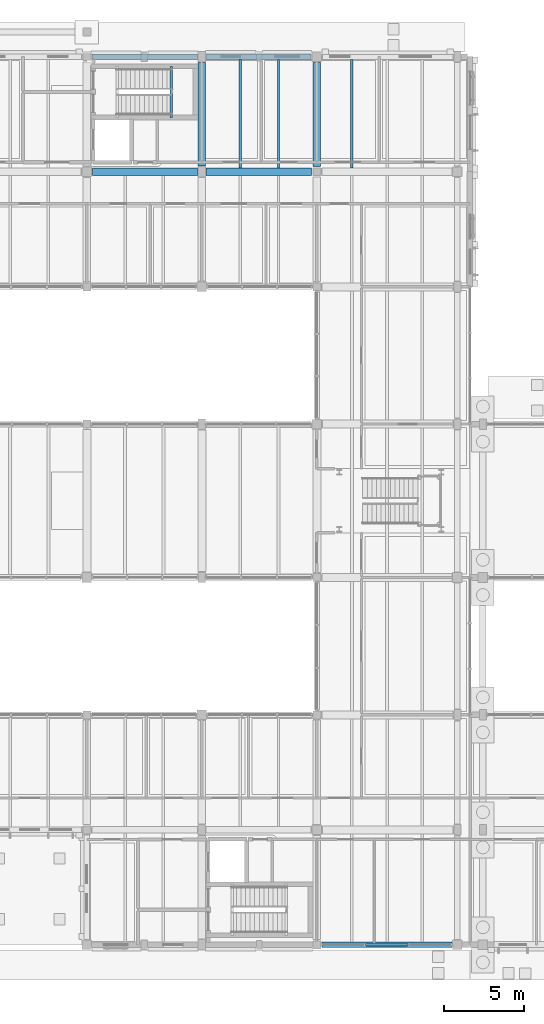
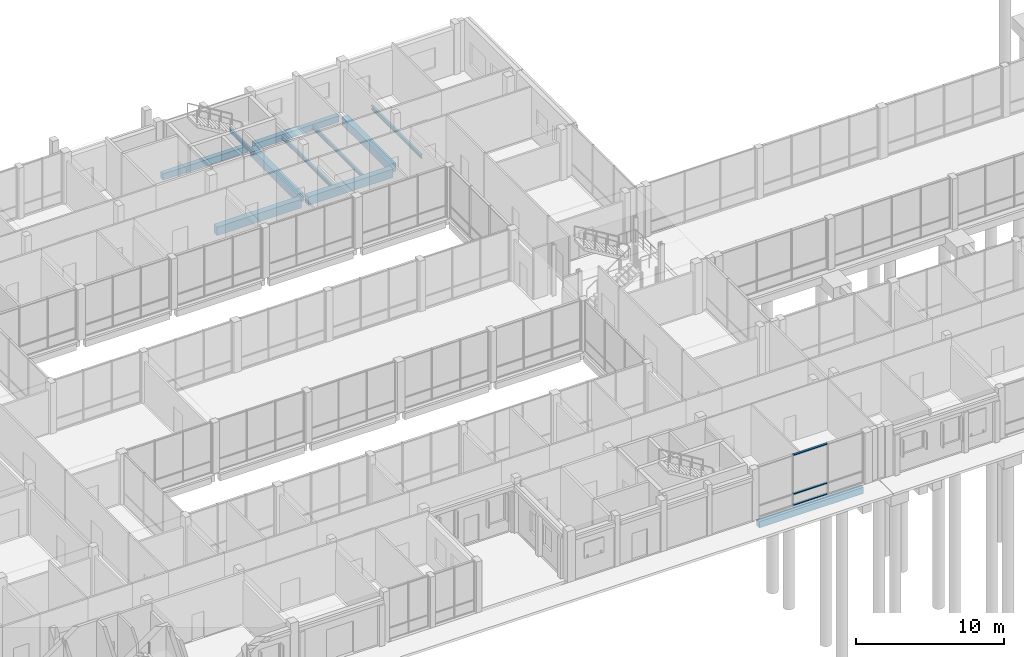
# One storey, part 43 of 104: 11 beams, 3 members, 1 element without a shape of its own.
"""IFC4 building model written with IfcOpenShell, lengths in metres."""

from ifc_helpers import new_model, si_unit, direction, frame, origin, origin_2d, place, context, subcontext, project, spatial, rectangle, hollow_rectangle, i_section, extrude, material, material_profile, profile_set, type_object, element, aggregate, save


model = new_model("IFC4")

# Units and contexts
model_context = context("Model", 3, precision=1e-05, world=origin(), true_north=direction((0.0, 1.0)))
body_context = subcontext(model_context, "Body", "Model", "MODEL_VIEW")
ifc_project = project(units=[si_unit("LENGTHUNIT", "METRE"), si_unit("AREAUNIT", "SQUARE_METRE"), si_unit("VOLUMEUNIT", "CUBIC_METRE"), si_unit("PLANEANGLEUNIT", "RADIAN"), si_unit("MASSUNIT", "GRAM", prefix="KILO")], contexts=[model_context])

# Site, building, storey
site_placement = place(None, origin())
site = spatial("IfcSite", under=ifc_project, at=site_placement, CompositionType="ELEMENT")
building_placement = place(site_placement, origin())
building = spatial("IfcBuilding", under=site, at=building_placement, Name="Hawrajan Terrace Health Centre", CompositionType="ELEMENT")
storey_placement = place(building_placement, origin())
storey = spatial("IfcBuildingStorey", under=building, at=storey_placement, Name="L00", CompositionType="ELEMENT", Elevation=0.0)

# Curtain wall, members
ifc_material_1 = material(Name="Anodized bronze aluminium and low-E solar glazing", Category="aluminium")
curtain_wall_type = type_object("IfcCurtainWallType", Name="CW_Court_SeriesB2", PredefinedType="USERDEFINED", material=ifc_material_1)
curtain_wall_placement = place(storey_placement, origin())
curtain_wall = element("IfcCurtainWall", 1, at=curtain_wall_placement, inside=storey, type_object=curtain_wall_type, Name="Curtain wall CW-L00-029", ObjectType="UNITISED CURTAIN WALL", PredefinedType="USERDEFINED")
ifc_material_2 = material(Name="Anodized bronze aluminium 6063-T6", Category="aluminium")
ifc_material_profile_1 = material_profile(ifc_material_2, hollow_rectangle(XDim=0.074951171875, YDim=0.169921875, WallThickness=0.00439453125, at=origin_2d()), Name="CW TRN 75x170")
ifc_profile_set_1 = profile_set([ifc_material_profile_1], Name="Anodized bronze aluminium 6063-T6")
member_type = type_object("IfcMemberType", Name="CWTransom_75x170", PredefinedType="USERDEFINED", material=ifc_profile_set_1)
member_1_placement = place(storey_placement, frame((65.243896484375, 4.199951171875, 0.03759765625), z_axis=(1.0, 0.0, 0.0), x_axis=(0.0, 0.0, 1.0)))
member_1 = element("IfcMember", 2, at=member_1_placement, type_object=member_type, Name="Transom CW-L00-029-T2-1", ObjectType="TRANSOM", PredefinedType="USERDEFINED", context=body_context, shape_type="SweptSolid", body=[
    extrude(hollow_rectangle(XDim=0.074951171875, YDim=0.169921875, WallThickness=0.00439453125, at=origin_2d()), origin(), (0.0, 0.0, 1.0), 2.662109375),
])
member_2_placement = place(storey_placement, frame((65.243896484375, 4.199951171875, 0.949951171875), z_axis=(1.0, 0.0, 0.0), x_axis=(0.0, 0.0, 1.0)))
member_2 = element("IfcMember", 3, at=member_2_placement, type_object=member_type, Name="Transom CW-L00-029-T2-2", ObjectType="TRANSOM", PredefinedType="USERDEFINED", context=body_context, shape_type="SweptSolid", body=[
    extrude(hollow_rectangle(XDim=0.074951171875, YDim=0.169921875, WallThickness=0.00439453125, at=origin_2d()), origin(), (0.0, 0.0, 1.0), 2.662109375),
])
member_3_placement = place(storey_placement, frame((65.243896484375, 4.199951171875, 4.16259765625), z_axis=(1.0, 0.0, 0.0), x_axis=(0.0, 0.0, 1.0)))
member_3 = element("IfcMember", 4, at=member_3_placement, type_object=member_type, Name="Transom CW-L00-029-T2-3", ObjectType="TRANSOM", PredefinedType="USERDEFINED", context=body_context, shape_type="SweptSolid", body=[
    extrude(hollow_rectangle(XDim=0.074951171875, YDim=0.169921875, WallThickness=0.00439453125, at=origin_2d()), origin(), (0.0, 0.0, 1.0), 2.662109375),
])
aggregate(curtain_wall, [member_1, member_2, member_3])

# Beams
ifc_material_3 = material(Name="Concrete C40/50", Category="concrete")
ifc_material_profile_2 = material_profile(ifc_material_3, rectangle(XDim=0.449951171875, YDim=0.699951171875, at=origin_2d()), Name="RC BM 450x700")
ifc_profile_set_2 = profile_set([ifc_material_profile_2], Name="Concrete C40/50")
beam_type_1 = type_object("IfcBeamType", Name="RCGirder_450x700", PredefinedType="BEAM", material=ifc_profile_set_2)
beam_1_placement = place(storey_placement, frame((48.14990234375, 52.60009765625, -0.64990234375), z_axis=(1.0, 0.0, 0.0), x_axis=(0.0, 1.0, 0.0)))
element("IfcBeam", 5, at=beam_1_placement, inside=storey, type_object=beam_type_1, Name="Beam BM-X-L00-W-07-Y7", PredefinedType="BEAM", context=body_context, shape_type="SweptSolid", body=[
    extrude(rectangle(XDim=0.449951171875, YDim=0.699951171875, at=origin_2d()), origin(), (0.0, 0.0, 1.0), 6.5751953125),
])
beam_2_placement = place(storey_placement, frame((55.27490234375, 52.60009765625, -0.64990234375), z_axis=(1.0, 0.0, 0.0), x_axis=(0.0, 1.0, 0.0)))
element("IfcBeam", 6, at=beam_2_placement, inside=storey, type_object=beam_type_1, Name="Beam BM-X-L00-W-08-Y7", PredefinedType="BEAM", context=body_context, shape_type="SweptSolid", body=[
    extrude(rectangle(XDim=0.449951171875, YDim=0.699951171875, at=origin_2d()), origin(), (0.0, 0.0, 1.0), 6.60009765625),
])
beam_3_placement = place(storey_placement, frame((55.0, 52.97509765625, -0.64990234375), z_axis=(0.0, 1.0, 0.0), x_axis=(-1.0, 0.0, 0.0)))
element("IfcBeam", 7, at=beam_3_placement, inside=storey, type_object=beam_type_1, Name="Beam BM-Y-L00-W-X08-7", PredefinedType="BEAM", context=body_context, shape_type="SweptSolid", body=[
    extrude(rectangle(XDim=0.449951171875, YDim=0.699951171875, at=origin_2d()), origin(), (0.0, 0.0, 1.0), 6.449951171875),
])
beam_4_placement = place(storey_placement, frame((62.199951171875, 52.925048828125, -0.64990234375), z_axis=(0.0, 1.0, 0.0), x_axis=(-1.0, 0.0, 0.0)))
element("IfcBeam", 8, at=beam_4_placement, inside=storey, type_object=beam_type_1, Name="Beam BM-Y-L00-W-X09-7", PredefinedType="BEAM", context=body_context, shape_type="SweptSolid", body=[
    extrude(rectangle(XDim=0.449951171875, YDim=0.699951171875, at=origin_2d()), origin(), (0.0, 0.0, 1.0), 6.52490234375),
])
ifc_material_profile_3 = material_profile(ifc_material_3, rectangle(XDim=0.35009765625, YDim=0.52001953125, at=origin_2d()), Name="RC SP 350x520")
ifc_profile_set_3 = profile_set([ifc_material_profile_3], Name="Concrete C40/50")
beam_type_2 = type_object("IfcBeamType", Name="RCSpandrel_350x520", PredefinedType="SPANDREL", material=ifc_profile_set_3)
beam_5_placement = place(storey_placement, frame((48.125, 59.800048828125, -0.56005859375), z_axis=(1.0, 0.0, 0.0), x_axis=(0.0, 1.0, 0.0)))
element("IfcBeam", 9, at=beam_5_placement, inside=storey, type_object=beam_type_2, Name="Beam BM-X-L00-W-07-Y8", PredefinedType="SPANDREL", context=body_context, shape_type="SweptSolid", body=[
    extrude(rectangle(XDim=0.35009765625, YDim=0.52001953125, at=origin_2d()), origin(), (0.0, 0.0, 1.0), 6.60009765625),
])
beam_6_placement = place(storey_placement, frame((55.27490234375, 59.800048828125, -0.56005859375), z_axis=(1.0, 0.0, 0.0), x_axis=(0.0, 1.0, 0.0)))
element("IfcBeam", 10, at=beam_6_placement, inside=storey, type_object=beam_type_2, Name="Beam BM-X-L00-W-08-Y8", PredefinedType="SPANDREL", context=body_context, shape_type="SweptSolid", body=[
    extrude(rectangle(XDim=0.35009765625, YDim=0.52001953125, at=origin_2d()), origin(), (0.0, 0.0, 1.0), 6.5751953125),
])
beam_7_placement = place(storey_placement, frame((62.52490234375, 4.199951171875, -0.56005859375), z_axis=(1.0, 0.0, 0.0), x_axis=(0.0, 1.0, 0.0)))
element("IfcBeam", 11, at=beam_7_placement, inside=storey, type_object=beam_type_2, Name="Beam BM-X-L00-W-09-Y1", PredefinedType="SPANDREL", context=body_context, shape_type="SweptSolid", body=[
    extrude(rectangle(XDim=0.35009765625, YDim=0.52001953125, at=origin_2d()), origin(), (0.0, 0.0, 1.0), 8.125),
])
ifc_material_4 = material(Name="Steel S355", Category="steel")
ifc_material_profile_4 = material_profile(ifc_material_4, i_section(OverallWidth=0.14990234375, OverallDepth=0.300048828125, WebThickness=0.007080078125, FlangeThickness=0.0107421875, FilletRadius=0.014892578125, at=origin_2d()), Name="IPE 300")
ifc_profile_set_4 = profile_set([ifc_material_profile_4], Name="Steel S355")
beam_type_3 = type_object("IfcBeamType", Name="SteelBeam_IPE300", PredefinedType="JOIST", material=ifc_profile_set_4)
for number, where, z_axis, x_axis, name in (
    (12, (57.39990234375, 52.824951171875, -0.449951171875), (0.0, 1.0, 0.0), (-1.0, 0.0, 0.0), "Secondary joist JST-L00-W-08-7-1"),
    (13, (59.800048828125, 52.824951171875, -0.449951171875), (0.0, 1.0, 0.0), (-1.0, 0.0, 0.0), "Secondary joist JST-L00-W-08-7-2"),
):
    element("IfcBeam", number, at=place(storey_placement, frame(where, z_axis=z_axis, x_axis=x_axis)), inside=storey, type_object=beam_type_3, Name=name, PredefinedType="JOIST", context=body_context, shape_type="SweptSolid", body=[
        extrude(i_section(OverallWidth=0.14990234375, OverallDepth=0.300048828125, WebThickness=0.007080078125, FlangeThickness=0.0107421875, FilletRadius=0.014892578125, at=origin_2d()), origin(), (0.0, 0.0, 1.0), 6.800048828125),
    ])
beam_8_placement = place(storey_placement, frame((64.39990234375, 52.85009765625, -0.449951171875), z_axis=(0.0, 1.0, 0.0), x_axis=(-1.0, 0.0, 0.0)))
element("IfcBeam", 14, at=beam_8_placement, inside=storey, type_object=beam_type_3, Name="Secondary joist JST-L00-W-09-7-1", PredefinedType="JOIST", context=body_context, shape_type="SweptSolid", body=[
    extrude(i_section(OverallWidth=0.14990234375, OverallDepth=0.300048828125, WebThickness=0.007080078125, FlangeThickness=0.0107421875, FilletRadius=0.014892578125, at=origin_2d()), origin(), (0.0, 0.0, 1.0), 6.77490234375),
])
beam_9_placement = place(storey_placement, frame((53.10009765625, 56.0, 1.8798828125), z_axis=(0.0, 1.0, 0.0), x_axis=(-1.0, 0.0, 0.0)))
element("IfcBeam", 15, at=beam_9_placement, inside=storey, type_object=beam_type_3, Name="Stair half-landing trimmer ST-2-L00-B1", PredefinedType="JOIST", context=body_context, shape_type="SweptSolid", body=[
    extrude(i_section(OverallWidth=0.14990234375, OverallDepth=0.300048828125, WebThickness=0.007080078125, FlangeThickness=0.0107421875, FilletRadius=0.014892578125, at=origin_2d()), origin(), (0.0, 0.0, 1.0), 3.199951171875),
])

save(model, "model.ifc")
